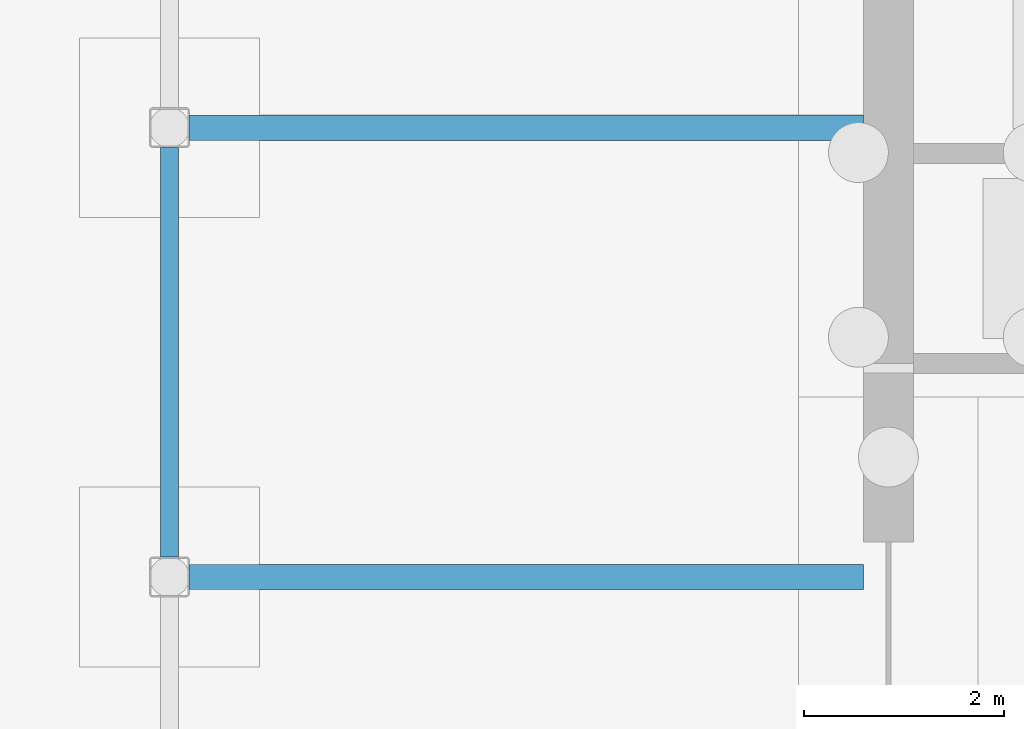
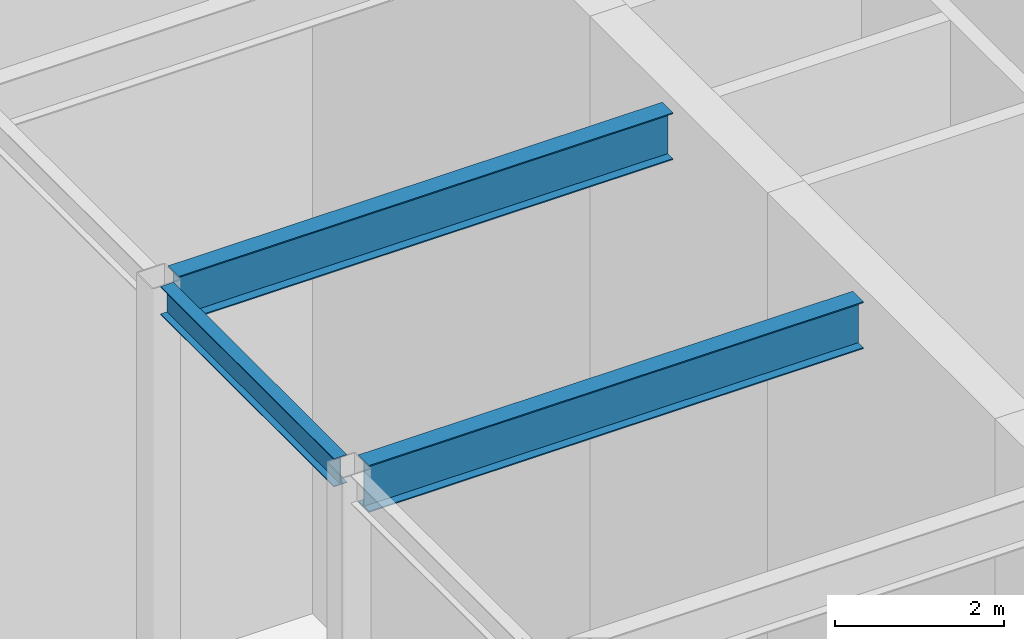
# One storey, part 36 of 58: 3 beams.
"""IFC4 building model written with IfcOpenShell, lengths in metres."""

from ifc_helpers import new_model, si_unit, direction, frame, origin, origin_2d, place, context, subcontext, project, spatial, i_section, extrude, material, material_profile, profile_set, type_object, element, save


model = new_model("IFC4")

# Units and contexts
model_context = context("Model", 3, precision=1e-05, world=origin(), true_north=direction((0.0, 1.0)))
body_context = subcontext(model_context, "Body", "Model", "MODEL_VIEW")
ifc_project = project(units=[si_unit("LENGTHUNIT", "METRE"), si_unit("AREAUNIT", "SQUARE_METRE"), si_unit("VOLUMEUNIT", "CUBIC_METRE"), si_unit("PLANEANGLEUNIT", "RADIAN"), si_unit("MASSUNIT", "GRAM", prefix="KILO")], contexts=[model_context])

# Site, building, storey
site_placement = place(None, origin())
site = spatial("IfcSite", under=ifc_project, at=site_placement, CompositionType="ELEMENT")
building_placement = place(site_placement, origin())
building = spatial("IfcBuilding", under=site, at=building_placement, Name="Baori Bourse Tower", CompositionType="ELEMENT")
storey_placement = place(building_placement, origin())
storey = spatial("IfcBuildingStorey", under=building, at=storey_placement, Name="L00", CompositionType="ELEMENT", Elevation=0.0)

# Beams
ifc_material_1 = material(Name="Steel A992 Gr 50", Category="steel")
ifc_material_profile_1 = material_profile(ifc_material_1, i_section(OverallWidth=0.177734375, OverallDepth=0.406494140625, WebThickness=0.0078125, FlangeThickness=0.012939453125, at=origin_2d()), Name="W16x40")
ifc_profile_set_1 = profile_set([ifc_material_profile_1], Name="Steel A992 Gr 50")
beam_type_1 = type_object("IfcBeamType", Name="Wing beam W16x40", PredefinedType="BEAM", material=ifc_profile_set_1)
beam_placement = place(storey_placement, frame((50.39990234375, -15.0, 12.19677734375), z_axis=(0.0, 1.0, 0.0), x_axis=(-1.0, 0.0, 0.0)))
element("IfcBeam", 1, at=beam_placement, inside=storey, type_object=beam_type_1, Name="wing/L00/galbeam/016", PredefinedType="BEAM", context=body_context, shape_type="SweptSolid", body=[
    extrude(i_section(OverallWidth=0.177734375, OverallDepth=0.406494140625, WebThickness=0.0078125, FlangeThickness=0.012939453125, at=origin_2d()), origin(), (0.0, 0.0, 1.0), 4.10009765625),
])
ifc_material_2 = material(Name="Steel A992 Gr 50", Category="steel")
ifc_material_profile_2 = material_profile(ifc_material_2, i_section(OverallWidth=0.25390625, OverallDepth=0.67822265625, WebThickness=0.01171875, FlangeThickness=0.016357421875, at=origin_2d()), Name="W27x84")
ifc_profile_set_2 = profile_set([ifc_material_profile_2], Name="Steel A992 Gr 50")
beam_type_2 = type_object("IfcBeamType", Name="Wing beam W27x84", PredefinedType="BEAM", material=ifc_profile_set_2)
for number, where, z_axis, x_axis, name in (
    (2, (57.35009765625, -15.199951171875, 12.060791015625), (-1.0, 0.0, 0.0), (0.0, -1.0, 0.0), "wing/L00/galbeam/015"),
    (3, (57.35009765625, -10.699951171875, 12.060791015625), (-1.0, 0.0, 0.0), (0.0, -1.0, 0.0), "wing/L00/galbeam/017"),
):
    element("IfcBeam", number, at=place(storey_placement, frame(where, z_axis=z_axis, x_axis=x_axis)), inside=storey, type_object=beam_type_2, Name=name, PredefinedType="BEAM", context=body_context, shape_type="SweptSolid", body=[
        extrude(i_section(OverallWidth=0.25390625, OverallDepth=0.67822265625, WebThickness=0.01171875, FlangeThickness=0.016357421875, at=origin_2d()), origin(), (0.0, 0.0, 1.0), 6.75),
    ])

save(model, "model.ifc")
